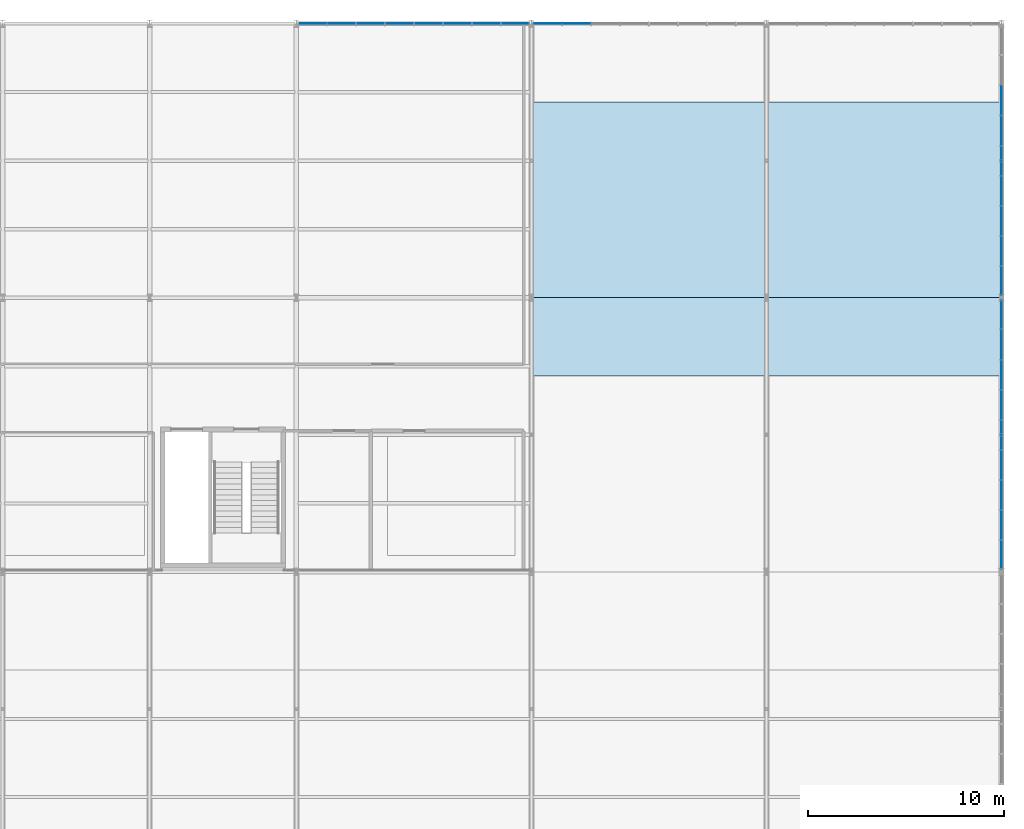
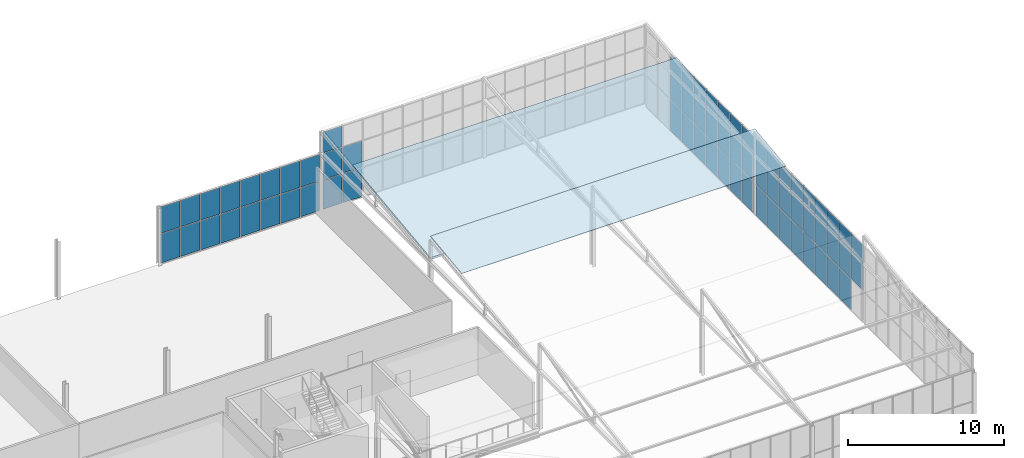
# One storey, part 90 of 104: 69 plates, 1 slab, 4 elements without a shape of their own.
"""IFC4 building model written with IfcOpenShell, lengths in metres."""

from ifc_helpers import new_model, si_unit, direction, frame, origin, origin_2d, place, context, subcontext, project, spatial, polyline, rectangle, outline, extrude, material, layer, layer_set, type_object, element, aggregate, save


model = new_model("IFC4")

# Units and contexts
model_context = context("Model", 3, precision=1e-05, world=origin(), true_north=direction((0.0, 1.0)))
body_context = subcontext(model_context, "Body", "Model", "MODEL_VIEW")
ifc_project = project(units=[si_unit("LENGTHUNIT", "METRE"), si_unit("AREAUNIT", "SQUARE_METRE"), si_unit("VOLUMEUNIT", "CUBIC_METRE"), si_unit("PLANEANGLEUNIT", "RADIAN"), si_unit("MASSUNIT", "GRAM", prefix="KILO")], contexts=[model_context])

# Site, building, storey
site_placement = place(None, origin())
site = spatial("IfcSite", under=ifc_project, at=site_placement, CompositionType="ELEMENT")
building_placement = place(site_placement, origin())
building = spatial("IfcBuilding", under=site, at=building_placement, Name="Solvenia Promenade Tram Depot", CompositionType="ELEMENT")
storey_placement = place(building_placement, frame((0.0, 0.0, 9.0)))
storey = spatial("IfcBuildingStorey", under=building, at=storey_placement, Name="L02", CompositionType="ELEMENT", Elevation=9.0)

# Curtain wall, plates
ifc_material_1 = material(Name="Anodized aluminium AW-6063 T6", Category="aluminium")
ifc_layer_1 = layer(ifc_material_1, 0.080078125, Name="Anodized aluminium AW-6063 T6", Category="aluminium")
ifc_layer_set_1 = layer_set([ifc_layer_1], Name="Anodized aluminium AW-6063 T6")
curtain_wall_type = type_object("IfcCurtainWallType", Name="CW-Clerest-1500", PredefinedType="NOTDEFINED", material=ifc_layer_set_1)
curtain_wall_1_placement = place(storey_placement, origin())
curtain_wall_1 = element("IfcCurtainWall", 1, at=curtain_wall_1_placement, inside=storey, type_object=curtain_wall_type, Name="Curtain Wall CW-V2E-L2-2", PredefinedType="NOTDEFINED")
ifc_material_2 = material(Name="Double low-e argon insulated glass", Category="glass")
ifc_layer_2 = layer(ifc_material_2, 0.031982421875, Name="Double low-e argon insulated glass", Category="glass")
ifc_layer_set_2 = layer_set([ifc_layer_2], Name="Double low-e argon insulated glass")
plate_type_1 = type_object("IfcPlateType", Name="CWP-Panel-2", PredefinedType="CURTAIN_PANEL", material=ifc_layer_set_2)
plate_1_placement = place(storey_placement, frame((186.0, 38.862548828125, 2.277587890625), z_axis=(0.0, 0.0, 1.0), x_axis=(0.0, 1.0, 0.0)))
plate_1 = element("IfcPlate", 2, at=plate_1_placement, type_object=plate_type_1, Name="CW-4 panel 1.2", PredefinedType="CURTAIN_PANEL", context=body_context, shape_type="SweptSolid", body=[
    extrude(rectangle(XDim=1.455322265625, YDim=0.031982421875, at=origin_2d()), origin(), (0.0, 0.0, 1.0), 2.14501953125),
])
plate_2_placement = place(storey_placement, frame((186.0, 38.862548828125, 4.4775390625), z_axis=(0.0, 0.0, 1.0), x_axis=(0.0, 1.0, 0.0)))
plate_2 = element("IfcPlate", 3, at=plate_2_placement, type_object=plate_type_1, Name="CW-4 panel 1.3", PredefinedType="CURTAIN_PANEL", context=body_context, shape_type="SweptSolid", body=[
    extrude(rectangle(XDim=1.455322265625, YDim=0.031982421875, at=origin_2d()), origin(), (0.0, 0.0, 1.0), 1.3173828125),
])
plate_3_placement = place(storey_placement, frame((186.0, 40.38671875, -0.195068359375), z_axis=(0.0, 0.0, 1.0), x_axis=(0.0, 1.0, 0.0)))
plate_3 = element("IfcPlate", 4, at=plate_3_placement, type_object=plate_type_1, Name="CW-4 panel 2.1", PredefinedType="CURTAIN_PANEL", context=body_context, shape_type="SweptSolid", body=[
    extrude(rectangle(XDim=1.482666015625, YDim=0.031982421875, at=origin_2d()), origin(), (0.0, 0.0, 1.0), 2.41748046875),
])
plate_4_placement = place(storey_placement, frame((186.0, 40.38671875, 2.277587890625), z_axis=(0.0, 0.0, 1.0), x_axis=(0.0, 1.0, 0.0)))
plate_4 = element("IfcPlate", 5, at=plate_4_placement, type_object=plate_type_1, Name="CW-4 panel 2.2", PredefinedType="CURTAIN_PANEL", context=body_context, shape_type="SweptSolid", body=[
    extrude(rectangle(XDim=1.482666015625, YDim=0.031982421875, at=origin_2d()), origin(), (0.0, 0.0, 1.0), 2.14501953125),
])
plate_5_placement = place(storey_placement, frame((186.0, 40.38671875, 4.4775390625), z_axis=(0.0, 0.0, 1.0), x_axis=(0.0, 1.0, 0.0)))
plate_5 = element("IfcPlate", 6, at=plate_5_placement, type_object=plate_type_1, Name="CW-4 panel 2.3", PredefinedType="CURTAIN_PANEL", context=body_context, shape_type="SweptSolid", body=[
    extrude(rectangle(XDim=1.482666015625, YDim=0.031982421875, at=origin_2d()), origin(), (0.0, 0.0, 1.0), 1.3173828125),
])
plate_6_placement = place(storey_placement, frame((186.0, 41.924560546875, -0.195068359375), z_axis=(0.0, 0.0, 1.0), x_axis=(0.0, 1.0, 0.0)))
plate_6 = element("IfcPlate", 7, at=plate_6_placement, type_object=plate_type_1, Name="CW-4 panel 3.1", PredefinedType="CURTAIN_PANEL", context=body_context, shape_type="SweptSolid", body=[
    extrude(rectangle(XDim=1.482666015625, YDim=0.031982421875, at=origin_2d()), origin(), (0.0, 0.0, 1.0), 2.41748046875),
])
plate_7_placement = place(storey_placement, frame((186.0, 41.924560546875, 2.277587890625), z_axis=(0.0, 0.0, 1.0), x_axis=(0.0, 1.0, 0.0)))
plate_7 = element("IfcPlate", 8, at=plate_7_placement, type_object=plate_type_1, Name="CW-4 panel 3.2", PredefinedType="CURTAIN_PANEL", context=body_context, shape_type="SweptSolid", body=[
    extrude(rectangle(XDim=1.482666015625, YDim=0.031982421875, at=origin_2d()), origin(), (0.0, 0.0, 1.0), 2.14501953125),
])
plate_8_placement = place(storey_placement, frame((186.0, 41.924560546875, 4.4775390625), z_axis=(0.0, 0.0, 1.0), x_axis=(0.0, 1.0, 0.0)))
plate_8 = element("IfcPlate", 9, at=plate_8_placement, type_object=plate_type_1, Name="CW-4 panel 3.3", PredefinedType="CURTAIN_PANEL", context=body_context, shape_type="SweptSolid", body=[
    extrude(rectangle(XDim=1.482666015625, YDim=0.031982421875, at=origin_2d()), origin(), (0.0, 0.0, 1.0), 1.3173828125),
])
plate_9_placement = place(storey_placement, frame((186.0, 43.462158203125, -0.195068359375), z_axis=(0.0, 0.0, 1.0), x_axis=(0.0, 1.0, 0.0)))
plate_9 = element("IfcPlate", 10, at=plate_9_placement, type_object=plate_type_1, Name="CW-4 panel 4.1", PredefinedType="CURTAIN_PANEL", context=body_context, shape_type="SweptSolid", body=[
    extrude(rectangle(XDim=1.482666015625, YDim=0.031982421875, at=origin_2d()), origin(), (0.0, 0.0, 1.0), 2.41748046875),
])
plate_10_placement = place(storey_placement, frame((186.0, 43.462158203125, 2.277587890625), z_axis=(0.0, 0.0, 1.0), x_axis=(0.0, 1.0, 0.0)))
plate_10 = element("IfcPlate", 11, at=plate_10_placement, type_object=plate_type_1, Name="CW-4 panel 4.2", PredefinedType="CURTAIN_PANEL", context=body_context, shape_type="SweptSolid", body=[
    extrude(rectangle(XDim=1.482666015625, YDim=0.031982421875, at=origin_2d()), origin(), (0.0, 0.0, 1.0), 2.14501953125),
])
plate_11_placement = place(storey_placement, frame((186.0, 43.462158203125, 4.4775390625), z_axis=(0.0, 0.0, 1.0), x_axis=(0.0, 1.0, 0.0)))
plate_11 = element("IfcPlate", 12, at=plate_11_placement, type_object=plate_type_1, Name="CW-4 panel 4.3", PredefinedType="CURTAIN_PANEL", context=body_context, shape_type="SweptSolid", body=[
    extrude(rectangle(XDim=1.482666015625, YDim=0.031982421875, at=origin_2d()), origin(), (0.0, 0.0, 1.0), 1.3173828125),
])
plate_12_placement = place(storey_placement, frame((186.0, 45.0, -0.195068359375), z_axis=(0.0, 0.0, 1.0), x_axis=(0.0, 1.0, 0.0)))
plate_12 = element("IfcPlate", 13, at=plate_12_placement, type_object=plate_type_1, Name="CW-4 panel 5.1", PredefinedType="CURTAIN_PANEL", context=body_context, shape_type="SweptSolid", body=[
    extrude(rectangle(XDim=1.482666015625, YDim=0.031982421875, at=origin_2d()), origin(), (0.0, 0.0, 1.0), 2.41748046875),
])
plate_13_placement = place(storey_placement, frame((186.0, 45.0, 2.277587890625), z_axis=(0.0, 0.0, 1.0), x_axis=(0.0, 1.0, 0.0)))
plate_13 = element("IfcPlate", 14, at=plate_13_placement, type_object=plate_type_1, Name="CW-4 panel 5.2", PredefinedType="CURTAIN_PANEL", context=body_context, shape_type="SweptSolid", body=[
    extrude(rectangle(XDim=1.482666015625, YDim=0.031982421875, at=origin_2d()), origin(), (0.0, 0.0, 1.0), 2.14501953125),
])
plate_14_placement = place(storey_placement, frame((186.0, 45.0, 4.4775390625), z_axis=(0.0, 0.0, 1.0), x_axis=(0.0, 1.0, 0.0)))
plate_14 = element("IfcPlate", 15, at=plate_14_placement, type_object=plate_type_1, Name="CW-4 panel 5.3", PredefinedType="CURTAIN_PANEL", context=body_context, shape_type="SweptSolid", body=[
    extrude(rectangle(XDim=1.482666015625, YDim=0.031982421875, at=origin_2d()), origin(), (0.0, 0.0, 1.0), 1.3173828125),
])
plate_15_placement = place(storey_placement, frame((186.0, 46.537841796875, -0.195068359375), z_axis=(0.0, 0.0, 1.0), x_axis=(0.0, 1.0, 0.0)))
plate_15 = element("IfcPlate", 16, at=plate_15_placement, type_object=plate_type_1, Name="CW-4 panel 6.1", PredefinedType="CURTAIN_PANEL", context=body_context, shape_type="SweptSolid", body=[
    extrude(rectangle(XDim=1.482666015625, YDim=0.031982421875, at=origin_2d()), origin(), (0.0, 0.0, 1.0), 2.41748046875),
])
plate_16_placement = place(storey_placement, frame((186.0, 46.537841796875, 2.277587890625), z_axis=(0.0, 0.0, 1.0), x_axis=(0.0, 1.0, 0.0)))
plate_16 = element("IfcPlate", 17, at=plate_16_placement, type_object=plate_type_1, Name="CW-4 panel 6.2", PredefinedType="CURTAIN_PANEL", context=body_context, shape_type="SweptSolid", body=[
    extrude(rectangle(XDim=1.482666015625, YDim=0.031982421875, at=origin_2d()), origin(), (0.0, 0.0, 1.0), 2.14501953125),
])
plate_17_placement = place(storey_placement, frame((186.0, 46.537841796875, 4.4775390625), z_axis=(0.0, 0.0, 1.0), x_axis=(0.0, 1.0, 0.0)))
plate_17 = element("IfcPlate", 18, at=plate_17_placement, type_object=plate_type_1, Name="CW-4 panel 6.3", PredefinedType="CURTAIN_PANEL", context=body_context, shape_type="SweptSolid", body=[
    extrude(rectangle(XDim=1.482666015625, YDim=0.031982421875, at=origin_2d()), origin(), (0.0, 0.0, 1.0), 1.3173828125),
])
plate_18_placement = place(storey_placement, frame((186.0, 48.075439453125, -0.195068359375), z_axis=(0.0, 0.0, 1.0), x_axis=(0.0, 1.0, 0.0)))
plate_18 = element("IfcPlate", 19, at=plate_18_placement, type_object=plate_type_1, Name="CW-4 panel 7.1", PredefinedType="CURTAIN_PANEL", context=body_context, shape_type="SweptSolid", body=[
    extrude(rectangle(XDim=1.482666015625, YDim=0.031982421875, at=origin_2d()), origin(), (0.0, 0.0, 1.0), 2.41748046875),
])
plate_19_placement = place(storey_placement, frame((186.0, 48.075439453125, 2.277587890625), z_axis=(0.0, 0.0, 1.0), x_axis=(0.0, 1.0, 0.0)))
plate_19 = element("IfcPlate", 20, at=plate_19_placement, type_object=plate_type_1, Name="CW-4 panel 7.2", PredefinedType="CURTAIN_PANEL", context=body_context, shape_type="SweptSolid", body=[
    extrude(rectangle(XDim=1.482666015625, YDim=0.031982421875, at=origin_2d()), origin(), (0.0, 0.0, 1.0), 2.14501953125),
])
plate_20_placement = place(storey_placement, frame((186.0, 48.075439453125, 4.4775390625), z_axis=(0.0, 0.0, 1.0), x_axis=(0.0, 1.0, 0.0)))
plate_20 = element("IfcPlate", 21, at=plate_20_placement, type_object=plate_type_1, Name="CW-4 panel 7.3", PredefinedType="CURTAIN_PANEL", context=body_context, shape_type="SweptSolid", body=[
    extrude(rectangle(XDim=1.482666015625, YDim=0.031982421875, at=origin_2d()), origin(), (0.0, 0.0, 1.0), 1.3173828125),
])
plate_21_placement = place(storey_placement, frame((186.0, 49.61328125, -0.195068359375), z_axis=(0.0, 0.0, 1.0), x_axis=(0.0, 1.0, 0.0)))
plate_21 = element("IfcPlate", 22, at=plate_21_placement, type_object=plate_type_1, Name="CW-4 panel 8.1", PredefinedType="CURTAIN_PANEL", context=body_context, shape_type="SweptSolid", body=[
    extrude(rectangle(XDim=1.482666015625, YDim=0.031982421875, at=origin_2d()), origin(), (0.0, 0.0, 1.0), 2.41748046875),
])
plate_22_placement = place(storey_placement, frame((186.0, 49.61328125, 2.277587890625), z_axis=(0.0, 0.0, 1.0), x_axis=(0.0, 1.0, 0.0)))
plate_22 = element("IfcPlate", 23, at=plate_22_placement, type_object=plate_type_1, Name="CW-4 panel 8.2", PredefinedType="CURTAIN_PANEL", context=body_context, shape_type="SweptSolid", body=[
    extrude(rectangle(XDim=1.482666015625, YDim=0.031982421875, at=origin_2d()), origin(), (0.0, 0.0, 1.0), 2.14501953125),
])
plate_23_placement = place(storey_placement, frame((186.0, 49.61328125, 4.4775390625), z_axis=(0.0, 0.0, 1.0), x_axis=(0.0, 1.0, 0.0)))
plate_23 = element("IfcPlate", 24, at=plate_23_placement, type_object=plate_type_1, Name="CW-4 panel 8.3", PredefinedType="CURTAIN_PANEL", context=body_context, shape_type="SweptSolid", body=[
    extrude(rectangle(XDim=1.482666015625, YDim=0.031982421875, at=origin_2d()), origin(), (0.0, 0.0, 1.0), 1.3173828125),
])
plate_24_placement = place(storey_placement, frame((186.0, 51.137451171875, -0.195068359375), z_axis=(0.0, 0.0, 1.0), x_axis=(0.0, 1.0, 0.0)))
plate_24 = element("IfcPlate", 25, at=plate_24_placement, type_object=plate_type_1, Name="CW-4 panel 9.1", PredefinedType="CURTAIN_PANEL", context=body_context, shape_type="SweptSolid", body=[
    extrude(rectangle(XDim=1.455322265625, YDim=0.031982421875, at=origin_2d()), origin(), (0.0, 0.0, 1.0), 2.41748046875),
])
plate_25_placement = place(storey_placement, frame((186.0, 51.137451171875, 2.277587890625), z_axis=(0.0, 0.0, 1.0), x_axis=(0.0, 1.0, 0.0)))
plate_25 = element("IfcPlate", 26, at=plate_25_placement, type_object=plate_type_1, Name="CW-4 panel 9.2", PredefinedType="CURTAIN_PANEL", context=body_context, shape_type="SweptSolid", body=[
    extrude(rectangle(XDim=1.455322265625, YDim=0.031982421875, at=origin_2d()), origin(), (0.0, 0.0, 1.0), 2.14501953125),
])
plate_26_placement = place(storey_placement, frame((186.0, 51.137451171875, 4.4775390625), z_axis=(0.0, 0.0, 1.0), x_axis=(0.0, 1.0, 0.0)))
plate_26 = element("IfcPlate", 27, at=plate_26_placement, type_object=plate_type_1, Name="CW-4 panel 9.3", PredefinedType="CURTAIN_PANEL", context=body_context, shape_type="SweptSolid", body=[
    extrude(rectangle(XDim=1.455322265625, YDim=0.031982421875, at=origin_2d()), origin(), (0.0, 0.0, 1.0), 1.3173828125),
])
aggregate(curtain_wall_1, [plate_1, plate_2, plate_3, plate_4, plate_5, plate_6, plate_7, plate_8, plate_9, plate_10, plate_11, plate_12, plate_13, plate_14, plate_15, plate_16, plate_17, plate_18, plate_19, plate_20, plate_21, plate_22, plate_23, plate_24, plate_25, plate_26])

curtain_wall_2_placement = place(storey_placement, origin())
curtain_wall_2 = element("IfcCurtainWall", 28, at=curtain_wall_2_placement, inside=storey, type_object=curtain_wall_type, Name="Curtain Wall CW-V2E-L2-3", PredefinedType="NOTDEFINED")
plate_27_placement = place(storey_placement, frame((186.0, 52.862548828125, -0.195068359375), z_axis=(0.0, 0.0, 1.0), x_axis=(0.0, 1.0, 0.0)))
plate_27 = element("IfcPlate", 29, at=plate_27_placement, type_object=plate_type_1, Name="CW-4 panel 1.1", PredefinedType="CURTAIN_PANEL", context=body_context, shape_type="SweptSolid", body=[
    extrude(rectangle(XDim=1.455322265625, YDim=0.031982421875, at=origin_2d()), origin(), (0.0, 0.0, 1.0), 2.41748046875),
])
plate_28_placement = place(storey_placement, frame((186.0, 52.862548828125, 2.277587890625), z_axis=(0.0, 0.0, 1.0), x_axis=(0.0, 1.0, 0.0)))
plate_28 = element("IfcPlate", 30, at=plate_28_placement, type_object=plate_type_1, Name="CW-4 panel 1.2", PredefinedType="CURTAIN_PANEL", context=body_context, shape_type="SweptSolid", body=[
    extrude(rectangle(XDim=1.455322265625, YDim=0.031982421875, at=origin_2d()), origin(), (0.0, 0.0, 1.0), 2.14501953125),
])
plate_29_placement = place(storey_placement, frame((186.0, 52.862548828125, 4.4775390625), z_axis=(0.0, 0.0, 1.0), x_axis=(0.0, 1.0, 0.0)))
plate_29 = element("IfcPlate", 31, at=plate_29_placement, type_object=plate_type_1, Name="CW-4 panel 1.3", PredefinedType="CURTAIN_PANEL", context=body_context, shape_type="SweptSolid", body=[
    extrude(rectangle(XDim=1.455322265625, YDim=0.031982421875, at=origin_2d()), origin(), (0.0, 0.0, 1.0), 1.3173828125),
])
plate_30_placement = place(storey_placement, frame((186.0, 54.38671875, -0.195068359375), z_axis=(0.0, 0.0, 1.0), x_axis=(0.0, 1.0, 0.0)))
plate_30 = element("IfcPlate", 32, at=plate_30_placement, type_object=plate_type_1, Name="CW-4 panel 2.1", PredefinedType="CURTAIN_PANEL", context=body_context, shape_type="SweptSolid", body=[
    extrude(rectangle(XDim=1.482666015625, YDim=0.031982421875, at=origin_2d()), origin(), (0.0, 0.0, 1.0), 2.41748046875),
])
plate_31_placement = place(storey_placement, frame((186.0, 54.38671875, 2.277587890625), z_axis=(0.0, 0.0, 1.0), x_axis=(0.0, 1.0, 0.0)))
plate_31 = element("IfcPlate", 33, at=plate_31_placement, type_object=plate_type_1, Name="CW-4 panel 2.2", PredefinedType="CURTAIN_PANEL", context=body_context, shape_type="SweptSolid", body=[
    extrude(rectangle(XDim=1.482666015625, YDim=0.031982421875, at=origin_2d()), origin(), (0.0, 0.0, 1.0), 2.14501953125),
])
plate_32_placement = place(storey_placement, frame((186.0, 54.38671875, 4.4775390625), z_axis=(0.0, 0.0, 1.0), x_axis=(0.0, 1.0, 0.0)))
plate_32 = element("IfcPlate", 34, at=plate_32_placement, type_object=plate_type_1, Name="CW-4 panel 2.3", PredefinedType="CURTAIN_PANEL", context=body_context, shape_type="SweptSolid", body=[
    extrude(rectangle(XDim=1.482666015625, YDim=0.031982421875, at=origin_2d()), origin(), (0.0, 0.0, 1.0), 1.3173828125),
])
plate_33_placement = place(storey_placement, frame((186.0, 55.924560546875, -0.195068359375), z_axis=(0.0, 0.0, 1.0), x_axis=(0.0, 1.0, 0.0)))
plate_33 = element("IfcPlate", 35, at=plate_33_placement, type_object=plate_type_1, Name="CW-4 panel 3.1", PredefinedType="CURTAIN_PANEL", context=body_context, shape_type="SweptSolid", body=[
    extrude(rectangle(XDim=1.482666015625, YDim=0.031982421875, at=origin_2d()), origin(), (0.0, 0.0, 1.0), 2.41748046875),
])
plate_34_placement = place(storey_placement, frame((186.0, 55.924560546875, 2.277587890625), z_axis=(0.0, 0.0, 1.0), x_axis=(0.0, 1.0, 0.0)))
plate_34 = element("IfcPlate", 36, at=plate_34_placement, type_object=plate_type_1, Name="CW-4 panel 3.2", PredefinedType="CURTAIN_PANEL", context=body_context, shape_type="SweptSolid", body=[
    extrude(rectangle(XDim=1.482666015625, YDim=0.031982421875, at=origin_2d()), origin(), (0.0, 0.0, 1.0), 2.14501953125),
])
plate_35_placement = place(storey_placement, frame((186.0, 55.924560546875, 4.4775390625), z_axis=(0.0, 0.0, 1.0), x_axis=(0.0, 1.0, 0.0)))
plate_35 = element("IfcPlate", 37, at=plate_35_placement, type_object=plate_type_1, Name="CW-4 panel 3.3", PredefinedType="CURTAIN_PANEL", context=body_context, shape_type="SweptSolid", body=[
    extrude(rectangle(XDim=1.482666015625, YDim=0.031982421875, at=origin_2d()), origin(), (0.0, 0.0, 1.0), 1.3173828125),
])
plate_36_placement = place(storey_placement, frame((186.0, 57.462158203125, -0.195068359375), z_axis=(0.0, 0.0, 1.0), x_axis=(0.0, 1.0, 0.0)))
plate_36 = element("IfcPlate", 38, at=plate_36_placement, type_object=plate_type_1, Name="CW-4 panel 4.1", PredefinedType="CURTAIN_PANEL", context=body_context, shape_type="SweptSolid", body=[
    extrude(rectangle(XDim=1.482666015625, YDim=0.031982421875, at=origin_2d()), origin(), (0.0, 0.0, 1.0), 2.41748046875),
])
plate_37_placement = place(storey_placement, frame((186.0, 57.462158203125, 2.277587890625), z_axis=(0.0, 0.0, 1.0), x_axis=(0.0, 1.0, 0.0)))
plate_37 = element("IfcPlate", 39, at=plate_37_placement, type_object=plate_type_1, Name="CW-4 panel 4.2", PredefinedType="CURTAIN_PANEL", context=body_context, shape_type="SweptSolid", body=[
    extrude(rectangle(XDim=1.482666015625, YDim=0.031982421875, at=origin_2d()), origin(), (0.0, 0.0, 1.0), 2.14501953125),
])
plate_38_placement = place(storey_placement, frame((186.0, 57.462158203125, 4.4775390625), z_axis=(0.0, 0.0, 1.0), x_axis=(0.0, 1.0, 0.0)))
plate_38 = element("IfcPlate", 40, at=plate_38_placement, type_object=plate_type_1, Name="CW-4 panel 4.3", PredefinedType="CURTAIN_PANEL", context=body_context, shape_type="SweptSolid", body=[
    extrude(rectangle(XDim=1.482666015625, YDim=0.031982421875, at=origin_2d()), origin(), (0.0, 0.0, 1.0), 1.3173828125),
])
plate_39_placement = place(storey_placement, frame((186.0, 59.0, -0.195068359375), z_axis=(0.0, 0.0, 1.0), x_axis=(0.0, 1.0, 0.0)))
plate_39 = element("IfcPlate", 41, at=plate_39_placement, type_object=plate_type_1, Name="CW-4 panel 5.1", PredefinedType="CURTAIN_PANEL", context=body_context, shape_type="SweptSolid", body=[
    extrude(rectangle(XDim=1.482666015625, YDim=0.031982421875, at=origin_2d()), origin(), (0.0, 0.0, 1.0), 2.41748046875),
])
plate_40_placement = place(storey_placement, frame((186.0, 59.0, 2.277587890625), z_axis=(0.0, 0.0, 1.0), x_axis=(0.0, 1.0, 0.0)))
plate_40 = element("IfcPlate", 42, at=plate_40_placement, type_object=plate_type_1, Name="CW-4 panel 5.2", PredefinedType="CURTAIN_PANEL", context=body_context, shape_type="SweptSolid", body=[
    extrude(rectangle(XDim=1.482666015625, YDim=0.031982421875, at=origin_2d()), origin(), (0.0, 0.0, 1.0), 2.14501953125),
])
plate_41_placement = place(storey_placement, frame((186.0, 59.0, 4.4775390625), z_axis=(0.0, 0.0, 1.0), x_axis=(0.0, 1.0, 0.0)))
plate_41 = element("IfcPlate", 43, at=plate_41_placement, type_object=plate_type_1, Name="CW-4 panel 5.3", PredefinedType="CURTAIN_PANEL", context=body_context, shape_type="SweptSolid", body=[
    extrude(rectangle(XDim=1.482666015625, YDim=0.031982421875, at=origin_2d()), origin(), (0.0, 0.0, 1.0), 1.3173828125),
])
plate_42_placement = place(storey_placement, frame((186.0, 60.537841796875, -0.195068359375), z_axis=(0.0, 0.0, 1.0), x_axis=(0.0, 1.0, 0.0)))
plate_42 = element("IfcPlate", 44, at=plate_42_placement, type_object=plate_type_1, Name="CW-4 panel 6.1", PredefinedType="CURTAIN_PANEL", context=body_context, shape_type="SweptSolid", body=[
    extrude(rectangle(XDim=1.482666015625, YDim=0.031982421875, at=origin_2d()), origin(), (0.0, 0.0, 1.0), 2.41748046875),
])
plate_43_placement = place(storey_placement, frame((186.0, 60.537841796875, 2.277587890625), z_axis=(0.0, 0.0, 1.0), x_axis=(0.0, 1.0, 0.0)))
plate_43 = element("IfcPlate", 45, at=plate_43_placement, type_object=plate_type_1, Name="CW-4 panel 6.2", PredefinedType="CURTAIN_PANEL", context=body_context, shape_type="SweptSolid", body=[
    extrude(rectangle(XDim=1.482666015625, YDim=0.031982421875, at=origin_2d()), origin(), (0.0, 0.0, 1.0), 2.14501953125),
])
plate_44_placement = place(storey_placement, frame((186.0, 60.537841796875, 4.4775390625), z_axis=(0.0, 0.0, 1.0), x_axis=(0.0, 1.0, 0.0)))
plate_44 = element("IfcPlate", 46, at=plate_44_placement, type_object=plate_type_1, Name="CW-4 panel 6.3", PredefinedType="CURTAIN_PANEL", context=body_context, shape_type="SweptSolid", body=[
    extrude(rectangle(XDim=1.482666015625, YDim=0.031982421875, at=origin_2d()), origin(), (0.0, 0.0, 1.0), 1.3173828125),
])
plate_45_placement = place(storey_placement, frame((186.0, 62.075439453125, -0.195068359375), z_axis=(0.0, 0.0, 1.0), x_axis=(0.0, 1.0, 0.0)))
plate_45 = element("IfcPlate", 47, at=plate_45_placement, type_object=plate_type_1, Name="CW-4 panel 7.1", PredefinedType="CURTAIN_PANEL", context=body_context, shape_type="SweptSolid", body=[
    extrude(rectangle(XDim=1.482666015625, YDim=0.031982421875, at=origin_2d()), origin(), (0.0, 0.0, 1.0), 2.41748046875),
])
plate_46_placement = place(storey_placement, frame((186.0, 62.075439453125, 2.277587890625), z_axis=(0.0, 0.0, 1.0), x_axis=(0.0, 1.0, 0.0)))
plate_46 = element("IfcPlate", 48, at=plate_46_placement, type_object=plate_type_1, Name="CW-4 panel 7.2", PredefinedType="CURTAIN_PANEL", context=body_context, shape_type="SweptSolid", body=[
    extrude(rectangle(XDim=1.482666015625, YDim=0.031982421875, at=origin_2d()), origin(), (0.0, 0.0, 1.0), 2.14501953125),
])
plate_47_placement = place(storey_placement, frame((186.0, 62.075439453125, 4.4775390625), z_axis=(0.0, 0.0, 1.0), x_axis=(0.0, 1.0, 0.0)))
plate_47 = element("IfcPlate", 49, at=plate_47_placement, type_object=plate_type_1, Name="CW-4 panel 7.3", PredefinedType="CURTAIN_PANEL", context=body_context, shape_type="SweptSolid", body=[
    extrude(rectangle(XDim=1.482666015625, YDim=0.031982421875, at=origin_2d()), origin(), (0.0, 0.0, 1.0), 1.3173828125),
])
aggregate(curtain_wall_2, [plate_27, plate_28, plate_29, plate_30, plate_31, plate_32, plate_33, plate_34, plate_35, plate_36, plate_37, plate_38, plate_39, plate_40, plate_41, plate_42, plate_43, plate_44, plate_45, plate_46, plate_47])

curtain_wall_3_placement = place(storey_placement, origin())
curtain_wall_3 = element("IfcCurtainWall", 50, at=curtain_wall_3_placement, inside=storey, type_object=curtain_wall_type, Name="Curtain Wall CW-V2N-L2-150", PredefinedType="NOTDEFINED")
ifc_layer_3 = layer(ifc_material_2, 0.035888671875, Name="Double low-e argon insulated glass", Category="glass")
ifc_layer_set_3 = layer_set([ifc_layer_3], Name="Double low-e argon insulated glass")
plate_type_2 = type_object("IfcPlateType", Name="CWP-Panel-3", PredefinedType="CURTAIN_PANEL", material=ifc_layer_set_3)
plate_48_placement = place(storey_placement, frame((150.83203125, 66.0, 0.05810546875), z_axis=(0.0, 0.0, 1.0), x_axis=(1.0, 0.0, 0.0)))
plate_48 = element("IfcPlate", 51, at=plate_48_placement, type_object=plate_type_2, Name="CW-4 panel 1.1", PredefinedType="CURTAIN_PANEL", context=body_context, shape_type="SweptSolid", body=[
    extrude(rectangle(XDim=1.407958984375, YDim=0.035888671875, at=origin_2d()), origin(), (0.0, 0.0, 1.0), 2.262939453125),
])
plate_49_placement = place(storey_placement, frame((150.83203125, 66.0, 2.37890625), z_axis=(0.0, 0.0, 1.0), x_axis=(1.0, 0.0, 0.0)))
plate_49 = element("IfcPlate", 52, at=plate_49_placement, type_object=plate_type_2, Name="CW-4 panel 1.2", PredefinedType="CURTAIN_PANEL", context=body_context, shape_type="SweptSolid", body=[
    extrude(rectangle(XDim=1.407958984375, YDim=0.035888671875, at=origin_2d()), origin(), (0.0, 0.0, 1.0), 2.06298828125),
])
plate_50_placement = place(storey_placement, frame((152.300048828125, 66.0, 0.05810546875), z_axis=(0.0, 0.0, 1.0), x_axis=(1.0, 0.0, 0.0)))
plate_50 = element("IfcPlate", 53, at=plate_50_placement, type_object=plate_type_2, Name="CW-4 panel 2.1", PredefinedType="CURTAIN_PANEL", context=body_context, shape_type="SweptSolid", body=[
    extrude(rectangle(XDim=1.431884765625, YDim=0.035888671875, at=origin_2d()), origin(), (0.0, 0.0, 1.0), 2.262939453125),
])
plate_51_placement = place(storey_placement, frame((152.300048828125, 66.0, 2.37890625), z_axis=(0.0, 0.0, 1.0), x_axis=(1.0, 0.0, 0.0)))
plate_51 = element("IfcPlate", 54, at=plate_51_placement, type_object=plate_type_2, Name="CW-4 panel 2.2", PredefinedType="CURTAIN_PANEL", context=body_context, shape_type="SweptSolid", body=[
    extrude(rectangle(XDim=1.431884765625, YDim=0.035888671875, at=origin_2d()), origin(), (0.0, 0.0, 1.0), 2.06298828125),
])
plate_52_placement = place(storey_placement, frame((153.780029296875, 66.0, 0.05810546875), z_axis=(0.0, 0.0, 1.0), x_axis=(1.0, 0.0, 0.0)))
plate_52 = element("IfcPlate", 55, at=plate_52_placement, type_object=plate_type_2, Name="CW-4 panel 3.1", PredefinedType="CURTAIN_PANEL", context=body_context, shape_type="SweptSolid", body=[
    extrude(rectangle(XDim=1.431884765625, YDim=0.035888671875, at=origin_2d()), origin(), (0.0, 0.0, 1.0), 2.262939453125),
])
plate_53_placement = place(storey_placement, frame((153.780029296875, 66.0, 2.37890625), z_axis=(0.0, 0.0, 1.0), x_axis=(1.0, 0.0, 0.0)))
plate_53 = element("IfcPlate", 56, at=plate_53_placement, type_object=plate_type_2, Name="CW-4 panel 3.2", PredefinedType="CURTAIN_PANEL", context=body_context, shape_type="SweptSolid", body=[
    extrude(rectangle(XDim=1.431884765625, YDim=0.035888671875, at=origin_2d()), origin(), (0.0, 0.0, 1.0), 2.06298828125),
])
plate_54_placement = place(storey_placement, frame((155.260009765625, 66.0, 0.05810546875), z_axis=(0.0, 0.0, 1.0), x_axis=(1.0, 0.0, 0.0)))
plate_54 = element("IfcPlate", 57, at=plate_54_placement, type_object=plate_type_2, Name="CW-4 panel 4.1", PredefinedType="CURTAIN_PANEL", context=body_context, shape_type="SweptSolid", body=[
    extrude(rectangle(XDim=1.431884765625, YDim=0.035888671875, at=origin_2d()), origin(), (0.0, 0.0, 1.0), 2.262939453125),
])
plate_55_placement = place(storey_placement, frame((155.260009765625, 66.0, 2.37890625), z_axis=(0.0, 0.0, 1.0), x_axis=(1.0, 0.0, 0.0)))
plate_55 = element("IfcPlate", 58, at=plate_55_placement, type_object=plate_type_2, Name="CW-4 panel 4.2", PredefinedType="CURTAIN_PANEL", context=body_context, shape_type="SweptSolid", body=[
    extrude(rectangle(XDim=1.431884765625, YDim=0.035888671875, at=origin_2d()), origin(), (0.0, 0.0, 1.0), 2.06298828125),
])
plate_56_placement = place(storey_placement, frame((156.739990234375, 66.0, 0.05810546875), z_axis=(0.0, 0.0, 1.0), x_axis=(1.0, 0.0, 0.0)))
plate_56 = element("IfcPlate", 59, at=plate_56_placement, type_object=plate_type_2, Name="CW-4 panel 5.1", PredefinedType="CURTAIN_PANEL", context=body_context, shape_type="SweptSolid", body=[
    extrude(rectangle(XDim=1.431884765625, YDim=0.035888671875, at=origin_2d()), origin(), (0.0, 0.0, 1.0), 2.262939453125),
])
plate_57_placement = place(storey_placement, frame((156.739990234375, 66.0, 2.37890625), z_axis=(0.0, 0.0, 1.0), x_axis=(1.0, 0.0, 0.0)))
plate_57 = element("IfcPlate", 60, at=plate_57_placement, type_object=plate_type_2, Name="CW-4 panel 5.2", PredefinedType="CURTAIN_PANEL", context=body_context, shape_type="SweptSolid", body=[
    extrude(rectangle(XDim=1.431884765625, YDim=0.035888671875, at=origin_2d()), origin(), (0.0, 0.0, 1.0), 2.06298828125),
])
plate_58_placement = place(storey_placement, frame((158.219970703125, 66.0, 0.05810546875), z_axis=(0.0, 0.0, 1.0), x_axis=(1.0, 0.0, 0.0)))
plate_58 = element("IfcPlate", 61, at=plate_58_placement, type_object=plate_type_2, Name="CW-4 panel 6.1", PredefinedType="CURTAIN_PANEL", context=body_context, shape_type="SweptSolid", body=[
    extrude(rectangle(XDim=1.431884765625, YDim=0.035888671875, at=origin_2d()), origin(), (0.0, 0.0, 1.0), 2.262939453125),
])
plate_59_placement = place(storey_placement, frame((158.219970703125, 66.0, 2.37890625), z_axis=(0.0, 0.0, 1.0), x_axis=(1.0, 0.0, 0.0)))
plate_59 = element("IfcPlate", 62, at=plate_59_placement, type_object=plate_type_2, Name="CW-4 panel 6.2", PredefinedType="CURTAIN_PANEL", context=body_context, shape_type="SweptSolid", body=[
    extrude(rectangle(XDim=1.431884765625, YDim=0.035888671875, at=origin_2d()), origin(), (0.0, 0.0, 1.0), 2.06298828125),
])
plate_60_placement = place(storey_placement, frame((159.699951171875, 66.0, 0.05810546875), z_axis=(0.0, 0.0, 1.0), x_axis=(1.0, 0.0, 0.0)))
plate_60 = element("IfcPlate", 63, at=plate_60_placement, type_object=plate_type_2, Name="CW-4 panel 7.1", PredefinedType="CURTAIN_PANEL", context=body_context, shape_type="SweptSolid", body=[
    extrude(rectangle(XDim=1.431884765625, YDim=0.035888671875, at=origin_2d()), origin(), (0.0, 0.0, 1.0), 2.262939453125),
])
plate_61_placement = place(storey_placement, frame((159.699951171875, 66.0, 2.37890625), z_axis=(0.0, 0.0, 1.0), x_axis=(1.0, 0.0, 0.0)))
plate_61 = element("IfcPlate", 64, at=plate_61_placement, type_object=plate_type_2, Name="CW-4 panel 7.2", PredefinedType="CURTAIN_PANEL", context=body_context, shape_type="SweptSolid", body=[
    extrude(rectangle(XDim=1.431884765625, YDim=0.035888671875, at=origin_2d()), origin(), (0.0, 0.0, 1.0), 2.06298828125),
])
plate_62_placement = place(storey_placement, frame((161.16796875, 66.0, 0.05810546875), z_axis=(0.0, 0.0, 1.0), x_axis=(1.0, 0.0, 0.0)))
plate_62 = element("IfcPlate", 65, at=plate_62_placement, type_object=plate_type_2, Name="CW-4 panel 8.1", PredefinedType="CURTAIN_PANEL", context=body_context, shape_type="SweptSolid", body=[
    extrude(rectangle(XDim=1.407958984375, YDim=0.035888671875, at=origin_2d()), origin(), (0.0, 0.0, 1.0), 2.262939453125),
])
plate_63_placement = place(storey_placement, frame((161.16796875, 66.0, 2.37890625), z_axis=(0.0, 0.0, 1.0), x_axis=(1.0, 0.0, 0.0)))
plate_63 = element("IfcPlate", 66, at=plate_63_placement, type_object=plate_type_2, Name="CW-4 panel 8.2", PredefinedType="CURTAIN_PANEL", context=body_context, shape_type="SweptSolid", body=[
    extrude(rectangle(XDim=1.407958984375, YDim=0.035888671875, at=origin_2d()), origin(), (0.0, 0.0, 1.0), 2.06298828125),
])
aggregate(curtain_wall_3, [plate_48, plate_49, plate_50, plate_51, plate_52, plate_53, plate_54, plate_55, plate_56, plate_57, plate_58, plate_59, plate_60, plate_61, plate_62, plate_63])

curtain_wall_4_placement = place(storey_placement, origin())
curtain_wall_4 = element("IfcCurtainWall", 67, at=curtain_wall_4_placement, inside=storey, type_object=curtain_wall_type, Name="Curtain Wall CW-V2N-L2-162", PredefinedType="NOTDEFINED")
plate_64_placement = place(storey_placement, frame((162.83203125, 66.0, 0.05810546875), z_axis=(0.0, 0.0, 1.0), x_axis=(1.0, 0.0, 0.0)))
plate_64 = element("IfcPlate", 68, at=plate_64_placement, type_object=plate_type_2, Name="CW-4 panel 1.1", PredefinedType="CURTAIN_PANEL", context=body_context, shape_type="SweptSolid", body=[
    extrude(rectangle(XDim=1.407958984375, YDim=0.035888671875, at=origin_2d()), origin(), (0.0, 0.0, 1.0), 2.262939453125),
])
plate_65_placement = place(storey_placement, frame((162.83203125, 66.0, 2.37890625), z_axis=(0.0, 0.0, 1.0), x_axis=(1.0, 0.0, 0.0)))
plate_65 = element("IfcPlate", 69, at=plate_65_placement, type_object=plate_type_2, Name="CW-4 panel 1.2", PredefinedType="CURTAIN_PANEL", context=body_context, shape_type="SweptSolid", body=[
    extrude(rectangle(XDim=1.407958984375, YDim=0.035888671875, at=origin_2d()), origin(), (0.0, 0.0, 1.0), 2.0419921875),
])
plate_66_placement = place(storey_placement, frame((162.83203125, 66.0, 4.47900390625), z_axis=(0.0, 0.0, 1.0), x_axis=(1.0, 0.0, 0.0)))
plate_66 = element("IfcPlate", 70, at=plate_66_placement, type_object=plate_type_2, Name="CW-4 panel 1.3", PredefinedType="CURTAIN_PANEL", context=body_context, shape_type="SweptSolid", body=[
    extrude(rectangle(XDim=1.407958984375, YDim=0.035888671875, at=origin_2d()), origin(), (0.0, 0.0, 1.0), 1.613037109375),
])
plate_67_placement = place(storey_placement, frame((164.300048828125, 66.0, 0.05810546875), z_axis=(0.0, 0.0, 1.0), x_axis=(1.0, 0.0, 0.0)))
plate_67 = element("IfcPlate", 71, at=plate_67_placement, type_object=plate_type_2, Name="CW-4 panel 2.1", PredefinedType="CURTAIN_PANEL", context=body_context, shape_type="SweptSolid", body=[
    extrude(rectangle(XDim=1.431884765625, YDim=0.035888671875, at=origin_2d()), origin(), (0.0, 0.0, 1.0), 2.262939453125),
])
plate_68_placement = place(storey_placement, frame((164.300048828125, 66.0, 2.37890625), z_axis=(0.0, 0.0, 1.0), x_axis=(1.0, 0.0, 0.0)))
plate_68 = element("IfcPlate", 72, at=plate_68_placement, type_object=plate_type_2, Name="CW-4 panel 2.2", PredefinedType="CURTAIN_PANEL", context=body_context, shape_type="SweptSolid", body=[
    extrude(rectangle(XDim=1.431884765625, YDim=0.035888671875, at=origin_2d()), origin(), (0.0, 0.0, 1.0), 2.0419921875),
])
aggregate(curtain_wall_4, [plate_64, plate_65, plate_66, plate_67, plate_68])

# Plate
ifc_material_3 = material(Name="Translucent multi-wall insulated polycarbonate cassette", Category="other")
ifc_layer_4 = layer(ifc_material_3, 0.0380859375, Name="Translucent multi-wall insulated polycarbonate cassette", Category="other")
ifc_layer_set_4 = layer_set([ifc_layer_4], Name="Translucent multi-wall insulated polycarbonate cassette")
plate_type_3 = type_object("IfcPlateType", Name="DaylightCassette-3", PredefinedType="SHEET", material=ifc_layer_set_4)
plate_69_placement = place(storey_placement, frame((162.0, 48.0, 6.0), z_axis=(0.0, -0.124034734589, 0.992277876714), x_axis=(1.0, 0.0, 0.0)))
element("IfcPlate", 73, at=plate_69_placement, inside=storey, type_object=plate_type_3, Name="East Workshop North-Light Skylight 1", PredefinedType="SHEET", context=body_context, shape_type="SweptSolid", body=[
    extrude(outline(polyline([(0.0, 0.0), (24.0, 0.0), (24.0, 4.0311288741492755), (0.0, 4.0311288741492755), (0.0, 0.0)])), origin(), (0.0, 0.0, -1.0), 0.0380859375),
])

# Slab
ifc_material_4 = material(Name="Concrete C28/35", Category="concrete")
ifc_layer_5 = layer(ifc_material_4, 0.169921875, Name="Concrete C28/35", Category="concrete")
ifc_layer_set_5 = layer_set([ifc_layer_5], Name="Concrete C28/35")
slab_type = type_object("IfcSlabType", Name="Slab-Cler-170", PredefinedType="ROOF", material=ifc_layer_set_5)
slab_placement = place(storey_placement, frame((162.0, 52.0, 4.800048828125), z_axis=(0.0, -0.119140441403, 0.992877411981), x_axis=(1.0, 0.0, 0.0)))
element("IfcSlab", 74, at=slab_placement, inside=storey, type_object=slab_type, Name="East Workshop Sawtooth Roof 2", PredefinedType="ROOF", context=body_context, shape_type="SweptSolid", body=[
    extrude(outline(polyline([(0.0, 0.0), (24.0, 0.0), (24.0, 10.071736832090293), (0.0, 10.071736832090293), (0.0, 0.0)])), origin(), (0.0, 0.0, -1.0), 0.169921875),
])

save(model, "model.ifc")
